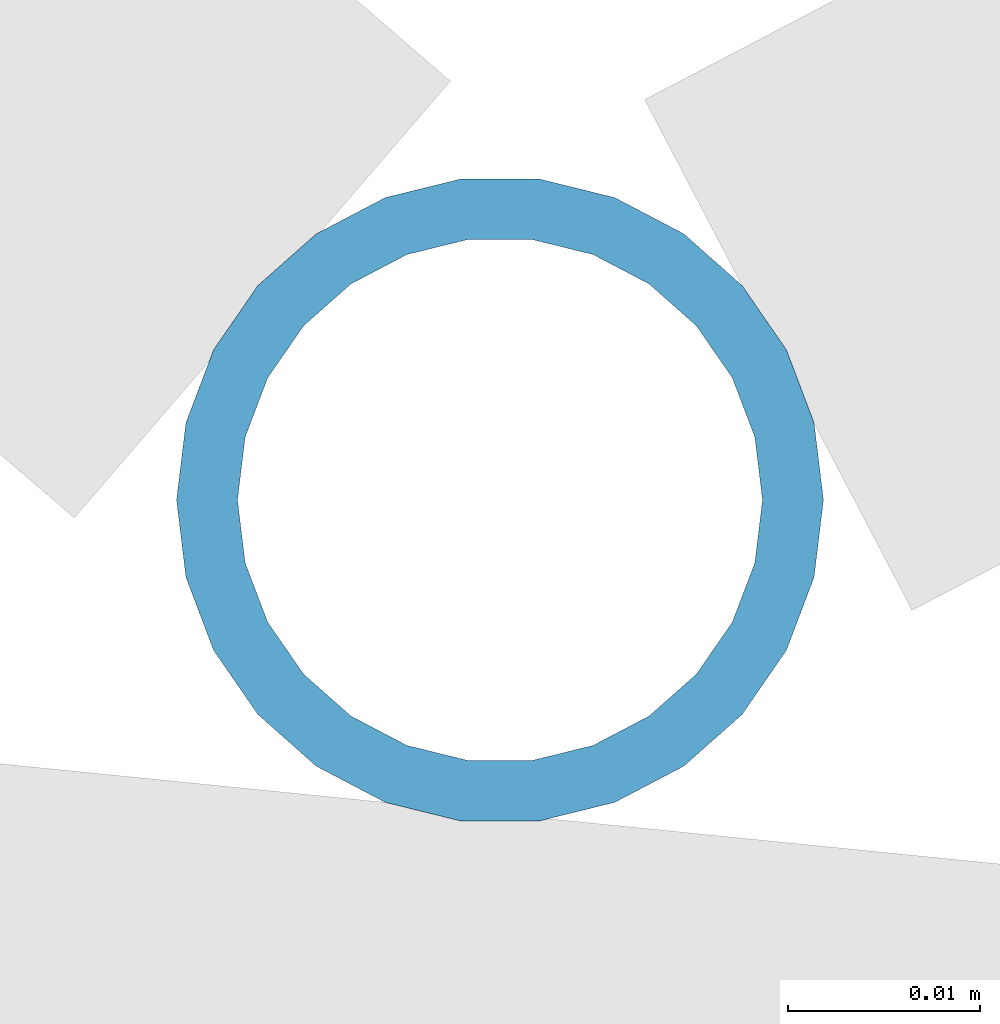
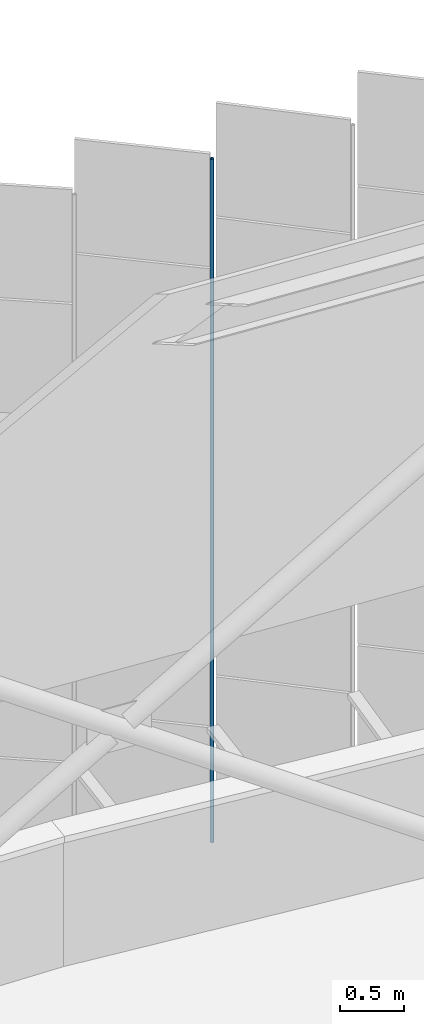
# One storey, part 391 of 483: 1 discrete accessory.
"""IFC4 building model written with IfcOpenShell, lengths in metres."""

from ifc_helpers import new_model, si_unit, direction, frame, origin, origin_2d, place, context, subcontext, project, spatial, hollow_circle, extrude, material, material_profile, profile_set, type_object, element, save


model = new_model("IFC4")

# Units and contexts
model_context = context("Model", 3, precision=1e-05, world=origin(), true_north=direction((0.0, 1.0)))
body_context = subcontext(model_context, "Body", "Model", "MODEL_VIEW")
ifc_project = project(units=[si_unit("LENGTHUNIT", "METRE"), si_unit("AREAUNIT", "SQUARE_METRE"), si_unit("VOLUMEUNIT", "CUBIC_METRE"), si_unit("PLANEANGLEUNIT", "RADIAN"), si_unit("MASSUNIT", "GRAM", prefix="KILO")], contexts=[model_context])

# Site, building, storey
site_placement = place(None, origin())
site = spatial("IfcSite", under=ifc_project, at=site_placement, CompositionType="ELEMENT")
building_placement = place(site_placement, origin())
building = spatial("IfcBuilding", under=site, at=building_placement, Name="Parallax Yard Mobility Hub", CompositionType="ELEMENT")
storey_placement = place(building_placement, frame((0.0, 0.0, 13.199951171875)))
storey = spatial("IfcBuildingStorey", under=building, at=storey_placement, Name="L04", CompositionType="ELEMENT", Elevation=13.199951171875)

# Discrete accessory
ifc_material = material(Name="Steel ASTM A500 Gr C, hot-dip galvanised", Category="steel")
ifc_material_profile = material_profile(ifc_material, hollow_circle(Radius=0.016845703125, WallThickness=0.003173828125, at=origin_2d()), Name="CHS 33.7x3.2")
ifc_profile_set = profile_set([ifc_material_profile], Name="Steel ASTM A500 Gr C, hot-dip galvanised")
discrete_accessory_type = type_object("IfcDiscreteAccessoryType", Name="Hinge post CHS 33.7x3.2", PredefinedType="BRACKET", material=ifc_profile_set)
discrete_accessory_placement = place(storey_placement, frame((178.464599609375, 142.98779296875, 0.0), z_axis=(0.0, 0.0, 1.0), x_axis=(1.0, 0.0, 0.0)))
element("IfcDiscreteAccessory", 1, at=discrete_accessory_placement, inside=storey, type_object=discrete_accessory_type, Name="Hinge post bay 50.3 level L04", PredefinedType="BRACKET", context=body_context, shape_type="SweptSolid", body=[
    extrude(hollow_circle(Radius=0.016845703125, WallThickness=0.003173828125, at=origin_2d()), origin(), (0.0, 0.0, 1.0), 6.550048828125),
])

save(model, "model.ifc")
